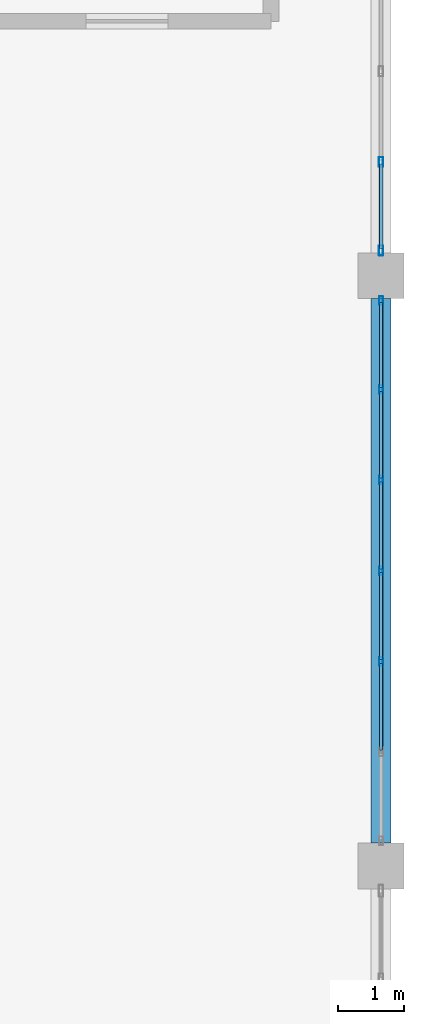
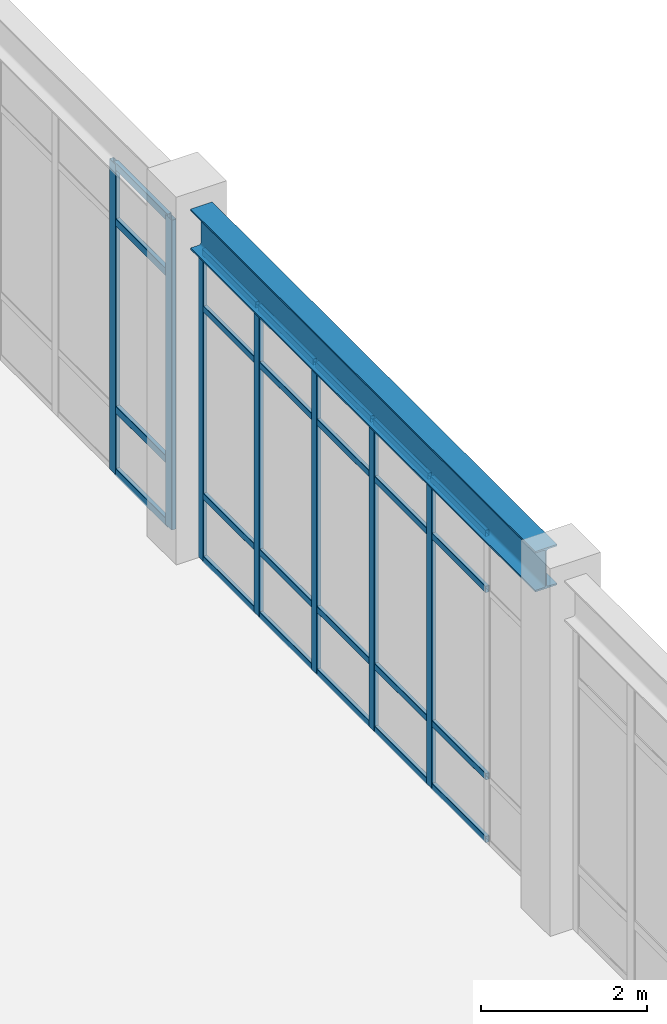
# One storey, part 48 of 80: 31 members, 1 beam, 2 elements without a shape of their own.
"""IFC4 building model written with IfcOpenShell, lengths in metres."""

from ifc_helpers import new_model, si_unit, direction, frame, origin, origin_2d, place, context, subcontext, project, spatial, hollow_rectangle, i_section, extrude, material, material_profile, profile_set, type_object, element, aggregate, save


model = new_model("IFC4")

# Units and contexts
model_context = context("Model", 3, precision=1e-05, world=origin(), true_north=direction((0.0, 1.0)))
body_context = subcontext(model_context, "Body", "Model", "MODEL_VIEW")
ifc_project = project(units=[si_unit("LENGTHUNIT", "METRE"), si_unit("AREAUNIT", "SQUARE_METRE"), si_unit("VOLUMEUNIT", "CUBIC_METRE"), si_unit("PLANEANGLEUNIT", "RADIAN"), si_unit("MASSUNIT", "GRAM", prefix="KILO")], contexts=[model_context])

# Site, building, storey
site_placement = place(None, origin())
site = spatial("IfcSite", under=ifc_project, at=site_placement, CompositionType="ELEMENT")
building_placement = place(site_placement, origin())
building = spatial("IfcBuilding", under=site, at=building_placement, Name="Canglan Escarpment Cableway Terminal", CompositionType="ELEMENT")
storey_placement = place(building_placement, frame((0.0, 0.0, 19.199951171875)))
storey = spatial("IfcBuildingStorey", under=building, at=storey_placement, Name="L04", CompositionType="ELEMENT", Elevation=19.199951171875)

# Beam
ifc_material_1 = material(Name="Steel Q355C", Category="steel")
ifc_material_profile_1 = material_profile(ifc_material_1, i_section(OverallWidth=0.302001953125, OverallDepth=0.593994140625, WebThickness=0.013916015625, FlangeThickness=0.02294921875, FilletRadius=0.028076171875, at=origin_2d()), Name="HM 594x302x14x23")
ifc_profile_set_1 = profile_set([ifc_material_profile_1], Name="Steel Q355C")
beam_type = type_object("IfcBeamType", Name="BM-HM594", PredefinedType="BEAM", material=ifc_profile_set_1)
beam_placement = place(storey_placement, frame((166.39990234375, 79.35009765625, 4.863037109375), z_axis=(0.0, 1.0, 0.0), x_axis=(-1.0, 0.0, 0.0)))
element("IfcBeam", 1, at=beam_placement, inside=storey, type_object=beam_type, Name="Primary transverse girder B-07", PredefinedType="BEAM", context=body_context, shape_type="SweptSolid", body=[
    extrude(i_section(OverallWidth=0.302001953125, OverallDepth=0.593994140625, WebThickness=0.013916015625, FlangeThickness=0.02294921875, FilletRadius=0.028076171875, at=origin_2d()), origin(), (0.0, 0.0, 1.0), 8.2998046875),
])

# Curtain wall, members
ifc_material_2 = material(Name="Anodized bronze aluminium and Low-E double glazing", Category="aluminium")
curtain_wall_type = type_object("IfcCurtainWallType", Name="CW-BAY-8300x4550", PredefinedType="NOTDEFINED", material=ifc_material_2)
curtain_wall_1_placement = place(storey_placement, origin())
curtain_wall_1 = element("IfcCurtainWall", 2, at=curtain_wall_1_placement, inside=storey, type_object=curtain_wall_type, Name="Classical bay-between-piers glazed curtain wall CW-64", PredefinedType="NOTDEFINED")
ifc_material_3 = material(Name="Thermally broken anodized aluminium 6063-T6", Category="aluminium")
ifc_material_profile_2 = material_profile(ifc_material_3, hollow_rectangle(XDim=0.06005859375, YDim=0.1298828125, WallThickness=0.0029296875, InnerFilletRadius=0.0029296875, OuterFilletRadius=0.006103515625, at=origin_2d()), Name="ALU-MULL 60x130x3")
ifc_profile_set_2 = profile_set([ifc_material_profile_2], Name="Thermally broken anodized aluminium 6063-T6")
member_type_1 = type_object("IfcMemberType", Name="CWM-01", PredefinedType="MULLION", material=ifc_profile_set_2)
member_1_placement = place(storey_placement, frame((166.39990234375, 82.11669921875, 0.0), z_axis=(0.0, 0.0, 1.0), x_axis=(-1.0, 0.0, 0.0)))
member_1 = element("IfcMember", 3, at=member_1_placement, type_object=member_type_1, Name="CW-64 mullion 3", PredefinedType="MULLION", context=body_context, shape_type="SweptSolid", body=[
    extrude(hollow_rectangle(XDim=0.06005859375, YDim=0.1298828125, WallThickness=0.0029296875, InnerFilletRadius=0.0029296875, OuterFilletRadius=0.006103515625, at=origin_2d()), origin(), (0.0, 0.0, 1.0), 4.551025390625),
])
member_2_placement = place(storey_placement, frame((166.39990234375, 83.5, 0.0), z_axis=(0.0, 0.0, 1.0), x_axis=(-1.0, 0.0, 0.0)))
member_2 = element("IfcMember", 4, at=member_2_placement, type_object=member_type_1, Name="CW-64 mullion 4", PredefinedType="MULLION", context=body_context, shape_type="SweptSolid", body=[
    extrude(hollow_rectangle(XDim=0.06005859375, YDim=0.1298828125, WallThickness=0.0029296875, InnerFilletRadius=0.0029296875, OuterFilletRadius=0.006103515625, at=origin_2d()), origin(), (0.0, 0.0, 1.0), 4.551025390625),
])
member_3_placement = place(storey_placement, frame((166.39990234375, 84.88330078125, 0.0), z_axis=(0.0, 0.0, 1.0), x_axis=(-1.0, 0.0, 0.0)))
member_3 = element("IfcMember", 5, at=member_3_placement, type_object=member_type_1, Name="CW-64 mullion 5", PredefinedType="MULLION", context=body_context, shape_type="SweptSolid", body=[
    extrude(hollow_rectangle(XDim=0.06005859375, YDim=0.1298828125, WallThickness=0.0029296875, InnerFilletRadius=0.0029296875, OuterFilletRadius=0.006103515625, at=origin_2d()), origin(), (0.0, 0.0, 1.0), 4.551025390625),
])
member_4_placement = place(storey_placement, frame((166.39990234375, 86.2666015625, 0.0), z_axis=(0.0, 0.0, 1.0), x_axis=(-1.0, 0.0, 0.0)))
member_4 = element("IfcMember", 6, at=member_4_placement, type_object=member_type_1, Name="CW-64 mullion 6", PredefinedType="MULLION", context=body_context, shape_type="SweptSolid", body=[
    extrude(hollow_rectangle(XDim=0.06005859375, YDim=0.1298828125, WallThickness=0.0029296875, InnerFilletRadius=0.0029296875, OuterFilletRadius=0.006103515625, at=origin_2d()), origin(), (0.0, 0.0, 1.0), 4.551025390625),
])
member_5_placement = place(storey_placement, frame((166.39990234375, 87.6201171875, 0.0), z_axis=(0.0, 0.0, 1.0), x_axis=(-1.0, 0.0, 0.0)))
member_5 = element("IfcMember", 7, at=member_5_placement, type_object=member_type_1, Name="CW-64 mullion 7", PredefinedType="MULLION", context=body_context, shape_type="SweptSolid", body=[
    extrude(hollow_rectangle(XDim=0.06005859375, YDim=0.1298828125, WallThickness=0.0029296875, InnerFilletRadius=0.0029296875, OuterFilletRadius=0.006103515625, at=origin_2d()), origin(), (0.0, 0.0, 1.0), 4.551025390625),
])

curtain_wall_2_placement = place(storey_placement, origin())
curtain_wall_2 = element("IfcCurtainWall", 8, at=curtain_wall_2_placement, inside=storey, type_object=curtain_wall_type, Name="Classical bay-between-piers glazed curtain wall CW-64", PredefinedType="NOTDEFINED")
ifc_material_profile_3 = material_profile(ifc_material_3, hollow_rectangle(XDim=0.06494140625, YDim=0.14990234375, WallThickness=0.00341796875, InnerFilletRadius=0.00341796875, OuterFilletRadius=0.007080078125, at=origin_2d()), Name="ALU-MULL 65x150x3.5")
ifc_profile_set_3 = profile_set([ifc_material_profile_3], Name="Thermally broken anodized aluminium 6063-T6")
member_type_2 = type_object("IfcMemberType", Name="CWM-02", PredefinedType="MULLION", material=ifc_profile_set_3)
member_6_placement = place(storey_placement, frame((166.39990234375, 88.382568359375, 0.0), z_axis=(0.0, 0.0, 1.0), x_axis=(-1.0, 0.0, 0.0)))
member_6 = element("IfcMember", 9, at=member_6_placement, type_object=member_type_2, Name="CW-64 mullion 1", PredefinedType="MULLION", context=body_context, shape_type="SweptSolid", body=[
    extrude(hollow_rectangle(XDim=0.06494140625, YDim=0.14990234375, WallThickness=0.00341796875, InnerFilletRadius=0.00341796875, OuterFilletRadius=0.007080078125, at=origin_2d()), origin(), (0.0, 0.0, 1.0), 4.551025390625),
])
member_7_placement = place(storey_placement, frame((166.39990234375, 89.7333984375, 0.0), z_axis=(0.0, 0.0, 1.0), x_axis=(-1.0, 0.0, 0.0)))
member_7 = element("IfcMember", 10, at=member_7_placement, type_object=member_type_2, Name="CW-64 mullion 2", PredefinedType="MULLION", context=body_context, shape_type="SweptSolid", body=[
    extrude(hollow_rectangle(XDim=0.06494140625, YDim=0.14990234375, WallThickness=0.00341796875, InnerFilletRadius=0.00341796875, OuterFilletRadius=0.007080078125, at=origin_2d()), origin(), (0.0, 0.0, 1.0), 4.551025390625),
])

# Member
ifc_material_profile_4 = material_profile(ifc_material_3, hollow_rectangle(XDim=0.054931640625, YDim=0.094970703125, WallThickness=0.0029296875, InnerFilletRadius=0.0029296875, OuterFilletRadius=0.006103515625, at=origin_2d()), Name="ALU-TRAN 55x95x3")
ifc_profile_set_4 = profile_set([ifc_material_profile_4], Name="Thermally broken anodized aluminium 6063-T6")
member_type_3 = type_object("IfcMemberType", Name="CWT-01", PredefinedType="USERDEFINED", material=ifc_profile_set_4)
member_8_placement = place(storey_placement, frame((166.39990234375, 80.763427734375, 0.027587890625), z_axis=(0.0, 1.0, 0.0), x_axis=(-1.0, 0.0, 0.0)))
member_8 = element("IfcMember", 11, at=member_8_placement, type_object=member_type_3, Name="CW-64 transom 2.1", ObjectType="TRANSOM", PredefinedType="USERDEFINED", context=body_context, shape_type="SweptSolid", body=[
    extrude(hollow_rectangle(XDim=0.054931640625, YDim=0.094970703125, WallThickness=0.0029296875, InnerFilletRadius=0.0029296875, OuterFilletRadius=0.006103515625, at=origin_2d()), origin(), (0.0, 0.0, 1.0), 1.3232421875),
])

member_9_placement = place(storey_placement, frame((166.39990234375, 80.763427734375, 0.949951171875), z_axis=(0.0, 1.0, 0.0), x_axis=(-1.0, 0.0, 0.0)))
member_9 = element("IfcMember", 12, at=member_9_placement, type_object=member_type_3, Name="CW-64 transom 2.2", ObjectType="TRANSOM", PredefinedType="USERDEFINED", context=body_context, shape_type="SweptSolid", body=[
    extrude(hollow_rectangle(XDim=0.054931640625, YDim=0.094970703125, WallThickness=0.0029296875, InnerFilletRadius=0.0029296875, OuterFilletRadius=0.006103515625, at=origin_2d()), origin(), (0.0, 0.0, 1.0), 1.3232421875),
])

member_10_placement = place(storey_placement, frame((166.39990234375, 80.763427734375, 3.700927734375), z_axis=(0.0, 1.0, 0.0), x_axis=(-1.0, 0.0, 0.0)))
member_10 = element("IfcMember", 13, at=member_10_placement, type_object=member_type_3, Name="CW-64 transom 2.3", ObjectType="TRANSOM", PredefinedType="USERDEFINED", context=body_context, shape_type="SweptSolid", body=[
    extrude(hollow_rectangle(XDim=0.054931640625, YDim=0.094970703125, WallThickness=0.0029296875, InnerFilletRadius=0.0029296875, OuterFilletRadius=0.006103515625, at=origin_2d()), origin(), (0.0, 0.0, 1.0), 1.3232421875),
])

member_11_placement = place(storey_placement, frame((166.39990234375, 80.763427734375, 4.5234375), z_axis=(0.0, 1.0, 0.0), x_axis=(-1.0, 0.0, 0.0)))
member_11 = element("IfcMember", 14, at=member_11_placement, type_object=member_type_3, Name="CW-64 transom 2.4", ObjectType="TRANSOM", PredefinedType="USERDEFINED", context=body_context, shape_type="SweptSolid", body=[
    extrude(hollow_rectangle(XDim=0.054931640625, YDim=0.094970703125, WallThickness=0.0029296875, InnerFilletRadius=0.0029296875, OuterFilletRadius=0.006103515625, at=origin_2d()), origin(), (0.0, 0.0, 1.0), 1.3232421875),
])

member_12_placement = place(storey_placement, frame((166.39990234375, 82.146728515625, 0.027587890625), z_axis=(0.0, 1.0, 0.0), x_axis=(-1.0, 0.0, 0.0)))
member_12 = element("IfcMember", 15, at=member_12_placement, type_object=member_type_3, Name="CW-64 transom 3.1", ObjectType="TRANSOM", PredefinedType="USERDEFINED", context=body_context, shape_type="SweptSolid", body=[
    extrude(hollow_rectangle(XDim=0.054931640625, YDim=0.094970703125, WallThickness=0.0029296875, InnerFilletRadius=0.0029296875, OuterFilletRadius=0.006103515625, at=origin_2d()), origin(), (0.0, 0.0, 1.0), 1.3232421875),
])

member_13_placement = place(storey_placement, frame((166.39990234375, 82.146728515625, 0.949951171875), z_axis=(0.0, 1.0, 0.0), x_axis=(-1.0, 0.0, 0.0)))
member_13 = element("IfcMember", 16, at=member_13_placement, type_object=member_type_3, Name="CW-64 transom 3.2", ObjectType="TRANSOM", PredefinedType="USERDEFINED", context=body_context, shape_type="SweptSolid", body=[
    extrude(hollow_rectangle(XDim=0.054931640625, YDim=0.094970703125, WallThickness=0.0029296875, InnerFilletRadius=0.0029296875, OuterFilletRadius=0.006103515625, at=origin_2d()), origin(), (0.0, 0.0, 1.0), 1.3232421875),
])

member_14_placement = place(storey_placement, frame((166.39990234375, 82.146728515625, 3.700927734375), z_axis=(0.0, 1.0, 0.0), x_axis=(-1.0, 0.0, 0.0)))
member_14 = element("IfcMember", 17, at=member_14_placement, type_object=member_type_3, Name="CW-64 transom 3.3", ObjectType="TRANSOM", PredefinedType="USERDEFINED", context=body_context, shape_type="SweptSolid", body=[
    extrude(hollow_rectangle(XDim=0.054931640625, YDim=0.094970703125, WallThickness=0.0029296875, InnerFilletRadius=0.0029296875, OuterFilletRadius=0.006103515625, at=origin_2d()), origin(), (0.0, 0.0, 1.0), 1.3232421875),
])

member_15_placement = place(storey_placement, frame((166.39990234375, 82.146728515625, 4.5234375), z_axis=(0.0, 1.0, 0.0), x_axis=(-1.0, 0.0, 0.0)))
member_15 = element("IfcMember", 18, at=member_15_placement, type_object=member_type_3, Name="CW-64 transom 3.4", ObjectType="TRANSOM", PredefinedType="USERDEFINED", context=body_context, shape_type="SweptSolid", body=[
    extrude(hollow_rectangle(XDim=0.054931640625, YDim=0.094970703125, WallThickness=0.0029296875, InnerFilletRadius=0.0029296875, OuterFilletRadius=0.006103515625, at=origin_2d()), origin(), (0.0, 0.0, 1.0), 1.3232421875),
])

member_16_placement = place(storey_placement, frame((166.39990234375, 83.530029296875, 0.027587890625), z_axis=(0.0, 1.0, 0.0), x_axis=(-1.0, 0.0, 0.0)))
member_16 = element("IfcMember", 19, at=member_16_placement, type_object=member_type_3, Name="CW-64 transom 4.1", ObjectType="TRANSOM", PredefinedType="USERDEFINED", context=body_context, shape_type="SweptSolid", body=[
    extrude(hollow_rectangle(XDim=0.054931640625, YDim=0.094970703125, WallThickness=0.0029296875, InnerFilletRadius=0.0029296875, OuterFilletRadius=0.006103515625, at=origin_2d()), origin(), (0.0, 0.0, 1.0), 1.3232421875),
])

member_17_placement = place(storey_placement, frame((166.39990234375, 83.530029296875, 0.949951171875), z_axis=(0.0, 1.0, 0.0), x_axis=(-1.0, 0.0, 0.0)))
member_17 = element("IfcMember", 20, at=member_17_placement, type_object=member_type_3, Name="CW-64 transom 4.2", ObjectType="TRANSOM", PredefinedType="USERDEFINED", context=body_context, shape_type="SweptSolid", body=[
    extrude(hollow_rectangle(XDim=0.054931640625, YDim=0.094970703125, WallThickness=0.0029296875, InnerFilletRadius=0.0029296875, OuterFilletRadius=0.006103515625, at=origin_2d()), origin(), (0.0, 0.0, 1.0), 1.3232421875),
])

member_18_placement = place(storey_placement, frame((166.39990234375, 83.530029296875, 3.700927734375), z_axis=(0.0, 1.0, 0.0), x_axis=(-1.0, 0.0, 0.0)))
member_18 = element("IfcMember", 21, at=member_18_placement, type_object=member_type_3, Name="CW-64 transom 4.3", ObjectType="TRANSOM", PredefinedType="USERDEFINED", context=body_context, shape_type="SweptSolid", body=[
    extrude(hollow_rectangle(XDim=0.054931640625, YDim=0.094970703125, WallThickness=0.0029296875, InnerFilletRadius=0.0029296875, OuterFilletRadius=0.006103515625, at=origin_2d()), origin(), (0.0, 0.0, 1.0), 1.3232421875),
])

member_19_placement = place(storey_placement, frame((166.39990234375, 83.530029296875, 4.5234375), z_axis=(0.0, 1.0, 0.0), x_axis=(-1.0, 0.0, 0.0)))
member_19 = element("IfcMember", 22, at=member_19_placement, type_object=member_type_3, Name="CW-64 transom 4.4", ObjectType="TRANSOM", PredefinedType="USERDEFINED", context=body_context, shape_type="SweptSolid", body=[
    extrude(hollow_rectangle(XDim=0.054931640625, YDim=0.094970703125, WallThickness=0.0029296875, InnerFilletRadius=0.0029296875, OuterFilletRadius=0.006103515625, at=origin_2d()), origin(), (0.0, 0.0, 1.0), 1.3232421875),
])

member_20_placement = place(storey_placement, frame((166.39990234375, 84.913330078125, 0.027587890625), z_axis=(0.0, 1.0, 0.0), x_axis=(-1.0, 0.0, 0.0)))
member_20 = element("IfcMember", 23, at=member_20_placement, type_object=member_type_3, Name="CW-64 transom 5.1", ObjectType="TRANSOM", PredefinedType="USERDEFINED", context=body_context, shape_type="SweptSolid", body=[
    extrude(hollow_rectangle(XDim=0.054931640625, YDim=0.094970703125, WallThickness=0.0029296875, InnerFilletRadius=0.0029296875, OuterFilletRadius=0.006103515625, at=origin_2d()), origin(), (0.0, 0.0, 1.0), 1.3232421875),
])

member_21_placement = place(storey_placement, frame((166.39990234375, 84.913330078125, 0.949951171875), z_axis=(0.0, 1.0, 0.0), x_axis=(-1.0, 0.0, 0.0)))
member_21 = element("IfcMember", 24, at=member_21_placement, type_object=member_type_3, Name="CW-64 transom 5.2", ObjectType="TRANSOM", PredefinedType="USERDEFINED", context=body_context, shape_type="SweptSolid", body=[
    extrude(hollow_rectangle(XDim=0.054931640625, YDim=0.094970703125, WallThickness=0.0029296875, InnerFilletRadius=0.0029296875, OuterFilletRadius=0.006103515625, at=origin_2d()), origin(), (0.0, 0.0, 1.0), 1.3232421875),
])

member_22_placement = place(storey_placement, frame((166.39990234375, 84.913330078125, 3.700927734375), z_axis=(0.0, 1.0, 0.0), x_axis=(-1.0, 0.0, 0.0)))
member_22 = element("IfcMember", 25, at=member_22_placement, type_object=member_type_3, Name="CW-64 transom 5.3", ObjectType="TRANSOM", PredefinedType="USERDEFINED", context=body_context, shape_type="SweptSolid", body=[
    extrude(hollow_rectangle(XDim=0.054931640625, YDim=0.094970703125, WallThickness=0.0029296875, InnerFilletRadius=0.0029296875, OuterFilletRadius=0.006103515625, at=origin_2d()), origin(), (0.0, 0.0, 1.0), 1.3232421875),
])

member_23_placement = place(storey_placement, frame((166.39990234375, 84.913330078125, 4.5234375), z_axis=(0.0, 1.0, 0.0), x_axis=(-1.0, 0.0, 0.0)))
member_23 = element("IfcMember", 26, at=member_23_placement, type_object=member_type_3, Name="CW-64 transom 5.4", ObjectType="TRANSOM", PredefinedType="USERDEFINED", context=body_context, shape_type="SweptSolid", body=[
    extrude(hollow_rectangle(XDim=0.054931640625, YDim=0.094970703125, WallThickness=0.0029296875, InnerFilletRadius=0.0029296875, OuterFilletRadius=0.006103515625, at=origin_2d()), origin(), (0.0, 0.0, 1.0), 1.3232421875),
])

member_24_placement = place(storey_placement, frame((166.39990234375, 86.296630859375, 0.027587890625), z_axis=(0.0, 1.0, 0.0), x_axis=(-1.0, 0.0, 0.0)))
member_24 = element("IfcMember", 27, at=member_24_placement, type_object=member_type_3, Name="CW-64 transom 6.1", ObjectType="TRANSOM", PredefinedType="USERDEFINED", context=body_context, shape_type="SweptSolid", body=[
    extrude(hollow_rectangle(XDim=0.054931640625, YDim=0.094970703125, WallThickness=0.0029296875, InnerFilletRadius=0.0029296875, OuterFilletRadius=0.006103515625, at=origin_2d()), origin(), (0.0, 0.0, 1.0), 1.29345703125),
])

member_25_placement = place(storey_placement, frame((166.39990234375, 86.296630859375, 0.949951171875), z_axis=(0.0, 1.0, 0.0), x_axis=(-1.0, 0.0, 0.0)))
member_25 = element("IfcMember", 28, at=member_25_placement, type_object=member_type_3, Name="CW-64 transom 6.2", ObjectType="TRANSOM", PredefinedType="USERDEFINED", context=body_context, shape_type="SweptSolid", body=[
    extrude(hollow_rectangle(XDim=0.054931640625, YDim=0.094970703125, WallThickness=0.0029296875, InnerFilletRadius=0.0029296875, OuterFilletRadius=0.006103515625, at=origin_2d()), origin(), (0.0, 0.0, 1.0), 1.29345703125),
])

member_26_placement = place(storey_placement, frame((166.39990234375, 86.296630859375, 3.700927734375), z_axis=(0.0, 1.0, 0.0), x_axis=(-1.0, 0.0, 0.0)))
member_26 = element("IfcMember", 29, at=member_26_placement, type_object=member_type_3, Name="CW-64 transom 6.3", ObjectType="TRANSOM", PredefinedType="USERDEFINED", context=body_context, shape_type="SweptSolid", body=[
    extrude(hollow_rectangle(XDim=0.054931640625, YDim=0.094970703125, WallThickness=0.0029296875, InnerFilletRadius=0.0029296875, OuterFilletRadius=0.006103515625, at=origin_2d()), origin(), (0.0, 0.0, 1.0), 1.29345703125),
])

member_27_placement = place(storey_placement, frame((166.39990234375, 86.296630859375, 4.5234375), z_axis=(0.0, 1.0, 0.0), x_axis=(-1.0, 0.0, 0.0)))
member_27 = element("IfcMember", 30, at=member_27_placement, type_object=member_type_3, Name="CW-64 transom 6.4", ObjectType="TRANSOM", PredefinedType="USERDEFINED", context=body_context, shape_type="SweptSolid", body=[
    extrude(hollow_rectangle(XDim=0.054931640625, YDim=0.094970703125, WallThickness=0.0029296875, InnerFilletRadius=0.0029296875, OuterFilletRadius=0.006103515625, at=origin_2d()), origin(), (0.0, 0.0, 1.0), 1.29345703125),
])

aggregate(curtain_wall_1, [member_1, member_2, member_3, member_4, member_5, member_8, member_9, member_10, member_11, member_12, member_13, member_14, member_15, member_16, member_17, member_18, member_19, member_20, member_21, member_22, member_23, member_24, member_25, member_26, member_27])

ifc_material_profile_5 = material_profile(ifc_material_3, hollow_rectangle(XDim=0.06005859375, YDim=0.110107421875, WallThickness=0.0029296875, InnerFilletRadius=0.0029296875, OuterFilletRadius=0.006103515625, at=origin_2d()), Name="ALU-TRAN 60x110x3")
ifc_profile_set_5 = profile_set([ifc_material_profile_5], Name="Thermally broken anodized aluminium 6063-T6")
member_type_4 = type_object("IfcMemberType", Name="CWT-02", PredefinedType="USERDEFINED", material=ifc_profile_set_5)
member_28_placement = place(storey_placement, frame((166.39990234375, 88.4150390625, 0.030029296875), z_axis=(0.0, 1.0, 0.0), x_axis=(-1.0, 0.0, 0.0)))
member_28 = element("IfcMember", 31, at=member_28_placement, type_object=member_type_4, Name="CW-64 transom 1.1", ObjectType="TRANSOM", PredefinedType="USERDEFINED", context=body_context, shape_type="SweptSolid", body=[
    extrude(hollow_rectangle(XDim=0.06005859375, YDim=0.110107421875, WallThickness=0.0029296875, InnerFilletRadius=0.0029296875, OuterFilletRadius=0.006103515625, at=origin_2d()), origin(), (0.0, 0.0, 1.0), 1.285888671875),
])

member_29_placement = place(storey_placement, frame((166.39990234375, 88.4150390625, 0.949951171875), z_axis=(0.0, 1.0, 0.0), x_axis=(-1.0, 0.0, 0.0)))
member_29 = element("IfcMember", 32, at=member_29_placement, type_object=member_type_4, Name="CW-64 transom 1.2", ObjectType="TRANSOM", PredefinedType="USERDEFINED", context=body_context, shape_type="SweptSolid", body=[
    extrude(hollow_rectangle(XDim=0.06005859375, YDim=0.110107421875, WallThickness=0.0029296875, InnerFilletRadius=0.0029296875, OuterFilletRadius=0.006103515625, at=origin_2d()), origin(), (0.0, 0.0, 1.0), 1.285888671875),
])

member_30_placement = place(storey_placement, frame((166.39990234375, 88.4150390625, 3.700927734375), z_axis=(0.0, 1.0, 0.0), x_axis=(-1.0, 0.0, 0.0)))
member_30 = element("IfcMember", 33, at=member_30_placement, type_object=member_type_4, Name="CW-64 transom 1.3", ObjectType="TRANSOM", PredefinedType="USERDEFINED", context=body_context, shape_type="SweptSolid", body=[
    extrude(hollow_rectangle(XDim=0.06005859375, YDim=0.110107421875, WallThickness=0.0029296875, InnerFilletRadius=0.0029296875, OuterFilletRadius=0.006103515625, at=origin_2d()), origin(), (0.0, 0.0, 1.0), 1.285888671875),
])

member_31_placement = place(storey_placement, frame((166.39990234375, 88.4150390625, 4.52099609375), z_axis=(0.0, 1.0, 0.0), x_axis=(-1.0, 0.0, 0.0)))
member_31 = element("IfcMember", 34, at=member_31_placement, type_object=member_type_4, Name="CW-64 transom 1.4", ObjectType="TRANSOM", PredefinedType="USERDEFINED", context=body_context, shape_type="SweptSolid", body=[
    extrude(hollow_rectangle(XDim=0.06005859375, YDim=0.110107421875, WallThickness=0.0029296875, InnerFilletRadius=0.0029296875, OuterFilletRadius=0.006103515625, at=origin_2d()), origin(), (0.0, 0.0, 1.0), 1.285888671875),
])

aggregate(curtain_wall_2, [member_6, member_7, member_28, member_29, member_30, member_31])

save(model, "model.ifc")
